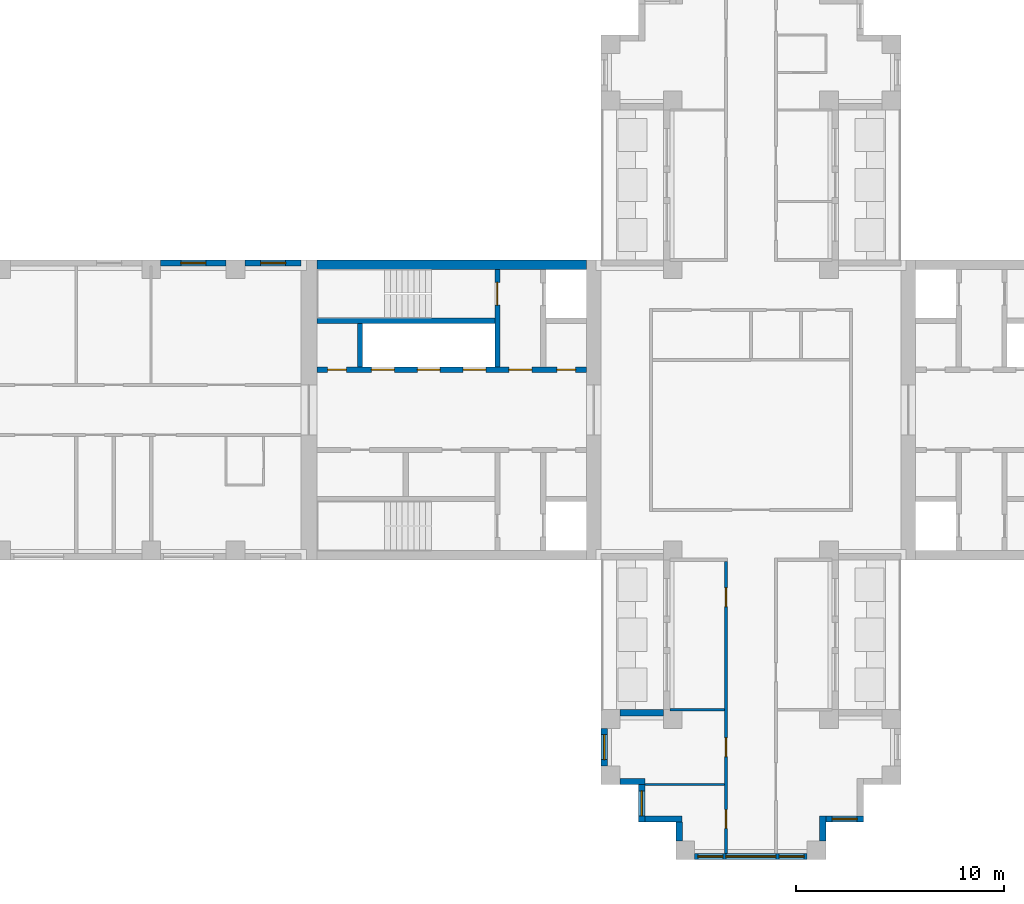
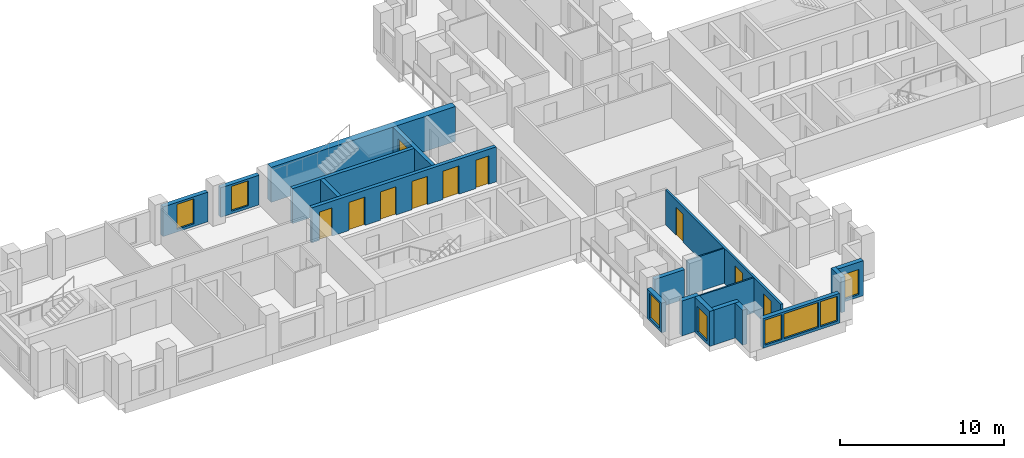
# One storey, part 4 of 11: 19 walls, 10 doors, 8 windows, 18 openings.
"""IFC4 building model written with IfcOpenShell, lengths in metres."""

from ifc_helpers import new_model, si_unit, direction, frame, frame_2d, origin, place, context, subcontext, project, spatial, rectangle, extrude, material, layer, layer_set, type_object, element, fill, save


model = new_model("IFC4")

# Units and contexts
model_context = context("Model", 3, precision=1e-05, world=origin(), true_north=direction((0.0, 1.0)))
body_context = subcontext(model_context, "Body", "Model", "MODEL_VIEW")
ifc_project = project(units=[si_unit("LENGTHUNIT", "METRE"), si_unit("AREAUNIT", "SQUARE_METRE"), si_unit("VOLUMEUNIT", "CUBIC_METRE"), si_unit("PLANEANGLEUNIT", "RADIAN"), si_unit("MASSUNIT", "GRAM", prefix="KILO")], contexts=[model_context])

# Site, building, storey
site_placement = place(None, origin())
site = spatial("IfcSite", under=ifc_project, at=site_placement, CompositionType="ELEMENT")
building_placement = place(site_placement, origin())
building = spatial("IfcBuilding", under=site, at=building_placement, Name="Fustian Cross Tower", CompositionType="ELEMENT")
storey_placement = place(building_placement, frame((0.0, 0.0, 144.300048828125)))
storey = spatial("IfcBuildingStorey", under=building, at=storey_placement, Name="L45", CompositionType="ELEMENT", Elevation=144.300048828125)

# Wall, openings, doors
ifc_material_1 = material(Name="Plasterboard on steel stud", Category="steel")
ifc_layer_1 = layer(ifc_material_1, 0.14990234375)
ifc_layer_set_1 = layer_set([ifc_layer_1], Name="Plasterboard on steel stud")
wall_type_1 = type_object("IfcWallType", Name="COMPARTMENT WALL 150 EI 60", PredefinedType="PARTITIONING", material=ifc_layer_set_1)
wall_1_placement = place(storey_placement, frame((-1.199951171875, -21.300048828125, 0.0), z_axis=(0.0, 0.0, 1.0), x_axis=(0.0, 1.0, 0.0)))
wall_1 = element("IfcWall", 1, at=wall_1_placement, inside=storey, type_object=wall_type_1, Name="Partition 20", PredefinedType="PARTITIONING", context=body_context, shape_type="SweptSolid", body=[
    extrude(rectangle(XDim=14.025146484375, YDim=0.14990234375, at=frame_2d((7.0126953125, 0.0))), origin(), (0.0, 0.0, 1.0), 2.599853515625),
])
opening_1_placement = place(wall_1_placement, frame((11.85009765625, 0.0, 0.0)))
opening_1 = element("IfcOpeningElement", 2, at=opening_1_placement, cuts=wall_1, Name="Opening D20030", PredefinedType="OPENING", context=body_context, shape_type="SweptSolid", body=[
    extrude(rectangle(XDim=0.89990234375, YDim=2.10009765625, at=frame_2d((0.449951171875, 1.050048828125))), frame((0.0, 0.0849609375, 0.0), z_axis=(0.0, -1.0, 0.0), x_axis=(1.0, 0.0, 0.0)), (0.0, 0.0, 1.0), 0.169921875),
])
opening_2_placement = place(wall_1_placement, frame((4.64990234375, 0.0, 0.0)))
opening_2 = element("IfcOpeningElement", 3, at=opening_2_placement, cuts=wall_1, Name="Opening D20031", PredefinedType="OPENING", context=body_context, shape_type="SweptSolid", body=[
    extrude(rectangle(XDim=0.89990234375, YDim=2.10009765625, at=frame_2d((0.449951171875, 1.050048828125))), frame((0.0, 0.0849609375, 0.0), z_axis=(0.0, -1.0, 0.0), x_axis=(1.0, 0.0, 0.0)), (0.0, 0.0, 1.0), 0.169921875),
])
opening_3_placement = place(wall_1_placement, frame((1.199951171875, 0.0, 0.0)))
opening_3 = element("IfcOpeningElement", 4, at=opening_3_placement, cuts=wall_1, Name="Opening D20032", PredefinedType="OPENING", context=body_context, shape_type="SweptSolid", body=[
    extrude(rectangle(XDim=0.89990234375, YDim=2.10009765625, at=frame_2d((0.449951171875, 1.050048828125))), frame((0.0, 0.0849609375, 0.0), z_axis=(0.0, -1.0, 0.0), x_axis=(1.0, 0.0, 0.0)), (0.0, 0.0, 1.0), 0.169921875),
])
ifc_material_2 = material(Name="Timber fire door set", Category="wood")
door_type_1 = type_object("IfcDoorType", Name="FIRE SWING DOOR 900 FD30S", OperationType="SINGLE_SWING_LEFT", PredefinedType="DOOR", material=ifc_material_2)
door_1_placement = place(opening_1_placement, origin())
door_1 = element("IfcDoor", 5, at=door_1_placement, inside=storey, type_object=door_type_1, Name="Door D20030", OperationType="SINGLE_SWING_RIGHT", OverallHeight=2.10009765625, OverallWidth=0.89990234375, PredefinedType="DOOR", context=body_context, shape_type="SweptSolid", body=[
    extrude(rectangle(XDim=0.89990234375, YDim=2.10009765625, at=frame_2d((0.449951171875, 1.050048828125))), frame((0.0, 0.02490234375, 0.0), z_axis=(0.0, -1.0, 0.0), x_axis=(1.0, 0.0, 0.0)), (0.0, 0.0, 1.0), 0.050048828125),
])
fill(opening_1, door_1)
door_2_placement = place(opening_2_placement, origin())
door_2 = element("IfcDoor", 6, at=door_2_placement, inside=storey, type_object=door_type_1, Name="Door D20031", OperationType="SINGLE_SWING_LEFT", OverallHeight=2.10009765625, OverallWidth=0.89990234375, PredefinedType="DOOR", context=body_context, shape_type="SweptSolid", body=[
    extrude(rectangle(XDim=0.89990234375, YDim=2.10009765625, at=frame_2d((0.449951171875, 1.050048828125))), frame((0.0, 0.02490234375, 0.0), z_axis=(0.0, -1.0, 0.0), x_axis=(1.0, 0.0, 0.0)), (0.0, 0.0, 1.0), 0.050048828125),
])
fill(opening_2, door_2)
door_3_placement = place(opening_3_placement, origin())
door_3 = element("IfcDoor", 7, at=door_3_placement, inside=storey, type_object=door_type_1, Name="Door D20032", OperationType="SINGLE_SWING_LEFT", OverallHeight=2.10009765625, OverallWidth=0.89990234375, PredefinedType="DOOR", context=body_context, shape_type="SweptSolid", body=[
    extrude(rectangle(XDim=0.89990234375, YDim=2.10009765625, at=frame_2d((0.449951171875, 1.050048828125))), frame((0.0, 0.02490234375, 0.0), z_axis=(0.0, -1.0, 0.0), x_axis=(1.0, 0.0, 0.0)), (0.0, 0.0, 1.0), 0.050048828125),
])
fill(opening_3, door_3)

# Wall
ifc_material_3 = material(Name="Concrete C60/75", Category="concrete")
ifc_layer_2 = layer(ifc_material_3, 0.449951171875)
ifc_layer_set_2 = layer_set([ifc_layer_2], Name="Concrete C60/75")
wall_type_2 = type_object("IfcWallType", Name="CORE FACADE WALL 450 C60/75", PredefinedType="SHEAR", material=ifc_layer_set_2)
wall_2_placement = place(storey_placement, frame((-7.89990234375, 6.97509765625, 0.0), z_axis=(0.0, 0.0, 1.0), x_axis=(-1.0, 0.0, 0.0)))
element("IfcWall", 8, at=wall_2_placement, inside=storey, type_object=wall_type_2, Name="Core facade wall", PredefinedType="SHEAR", context=body_context, shape_type="SweptSolid", body=[
    extrude(rectangle(XDim=12.9501953125, YDim=0.449951171875, at=frame_2d((6.47509765625, 0.0))), origin(), (0.0, 0.0, 1.0), 2.599853515625),
])

# Wall, openings, doors
ifc_material_4 = material(Name="Concrete C50/60", Category="concrete")
ifc_layer_3 = layer(ifc_material_4, 0.25)
ifc_layer_set_3 = layer_set([ifc_layer_3], Name="Concrete C50/60")
wall_type_3 = type_object("IfcWallType", Name="CORE LOBBY WALL 250 C50/60", PredefinedType="SHEAR", material=ifc_layer_set_3)
wall_3_placement = place(storey_placement, frame((-7.89990234375, 1.925048828125, 0.0), z_axis=(0.0, 0.0, 1.0), x_axis=(-1.0, 0.0, 0.0)))
wall_3 = element("IfcWall", 9, at=wall_3_placement, inside=storey, type_object=wall_type_3, Name="Core lobby wall", PredefinedType="SHEAR", context=body_context, shape_type="SweptSolid", body=[
    extrude(rectangle(XDim=12.9501953125, YDim=0.25, at=frame_2d((6.47509765625, 0.0))), origin(), (0.0, 0.0, 1.0), 2.599853515625),
])
opening_4_placement = place(wall_3_placement, frame((4.824951171875, 0.0, 0.0)))
opening_4 = element("IfcOpeningElement", 10, at=opening_4_placement, cuts=wall_3, Name="Opening LD", PredefinedType="OPENING", context=body_context, shape_type="SweptSolid", body=[
    extrude(rectangle(XDim=1.10009765625, YDim=2.10009765625, at=frame_2d((0.550048828125, 1.050048828125))), frame((0.0, 0.135009765625, 0.0), z_axis=(0.0, -1.0, 0.0), x_axis=(1.0, 0.0, 0.0)), (0.0, 0.0, 1.0), 0.27001953125),
])
opening_5_placement = place(wall_3_placement, frame((7.02490234375, 0.0, 0.0)))
opening_5 = element("IfcOpeningElement", 11, at=opening_5_placement, cuts=wall_3, Name="Opening LD", PredefinedType="OPENING", context=body_context, shape_type="SweptSolid", body=[
    extrude(rectangle(XDim=1.10009765625, YDim=2.10009765625, at=frame_2d((0.550048828125, 1.050048828125))), frame((0.0, 0.135009765625, 0.0), z_axis=(0.0, -1.0, 0.0), x_axis=(1.0, 0.0, 0.0)), (0.0, 0.0, 1.0), 0.27001953125),
])
opening_6_placement = place(wall_3_placement, frame((9.22509765625, 0.0, 0.0)))
opening_6 = element("IfcOpeningElement", 12, at=opening_6_placement, cuts=wall_3, Name="Opening LD", PredefinedType="OPENING", context=body_context, shape_type="SweptSolid", body=[
    extrude(rectangle(XDim=1.10009765625, YDim=2.10009765625, at=frame_2d((0.550048828125, 1.050048828125))), frame((0.0, 0.135009765625, 0.0), z_axis=(0.0, -1.0, 0.0), x_axis=(1.0, 0.0, 0.0)), (0.0, 0.0, 1.0), 0.27001953125),
])
opening_7_placement = place(wall_3_placement, frame((0.52490234375, 0.0, 0.0)))
opening_7 = element("IfcOpeningElement", 13, at=opening_7_placement, cuts=wall_3, Name="Opening CD-18-24", PredefinedType="OPENING", context=body_context, shape_type="SweptSolid", body=[
    extrude(rectangle(XDim=0.89990234375, YDim=2.10009765625, at=frame_2d((0.449951171875, 1.050048828125))), frame((0.0, 0.135009765625, 0.0), z_axis=(0.0, -1.0, 0.0), x_axis=(1.0, 0.0, 0.0)), (0.0, 0.0, 1.0), 0.27001953125),
])
opening_8_placement = place(wall_3_placement, frame((2.625, 0.0, 0.0)))
opening_8 = element("IfcOpeningElement", 14, at=opening_8_placement, cuts=wall_3, Name="Opening CD-18-26", PredefinedType="OPENING", context=body_context, shape_type="SweptSolid", body=[
    extrude(rectangle(XDim=1.10009765625, YDim=2.10009765625, at=frame_2d((0.550048828125, 1.050048828125))), frame((0.0, 0.135009765625, 0.0), z_axis=(0.0, -1.0, 0.0), x_axis=(1.0, 0.0, 0.0)), (0.0, 0.0, 1.0), 0.27001953125),
])
opening_9_placement = place(wall_3_placement, frame((11.52490234375, 0.0, 0.0)))
opening_9 = element("IfcOpeningElement", 15, at=opening_9_placement, cuts=wall_3, Name="Opening CD-18-30", PredefinedType="OPENING", context=body_context, shape_type="SweptSolid", body=[
    extrude(rectangle(XDim=0.89990234375, YDim=2.10009765625, at=frame_2d((0.449951171875, 1.050048828125))), frame((0.0, 0.135009765625, 0.0), z_axis=(0.0, -1.0, 0.0), x_axis=(1.0, 0.0, 0.0)), (0.0, 0.0, 1.0), 0.27001953125),
])
ifc_material_5 = material(Name="Steel", Category="steel")
door_type_2 = type_object("IfcDoorType", Name="FIRE DOOR FD30S 900X2100", OperationType="SINGLE_SWING_LEFT", PredefinedType="DOOR", material=ifc_material_5)
door_4_placement = place(opening_9_placement, frame((0.89990234375, 0.0, 0.0), z_axis=(0.0, 0.0, 1.0), x_axis=(-1.0, 0.0, 0.0)))
door_4 = element("IfcDoor", 16, at=door_4_placement, inside=storey, type_object=door_type_2, Name="Core door CD-18-30", OperationType="SINGLE_SWING_RIGHT", OverallHeight=2.10009765625, OverallWidth=0.89990234375, PredefinedType="DOOR", context=body_context, shape_type="SweptSolid", body=[
    extrude(rectangle(XDim=0.89990234375, YDim=2.10009765625, at=frame_2d((0.449951171875, 1.050048828125))), frame((0.0, 0.02490234375, 0.0), z_axis=(0.0, -1.0, 0.0), x_axis=(1.0, 0.0, 0.0)), (0.0, 0.0, 1.0), 0.050048828125),
])
fill(opening_9, door_4)
ifc_material_6 = material(Name="Steel", Category="steel")
door_type_3 = type_object("IfcDoorType", Name="FIRE DOOR FD60S 1100X2100", OperationType="SINGLE_SWING_LEFT", PredefinedType="DOOR", material=ifc_material_6)
door_5_placement = place(opening_8_placement, frame((1.10009765625, 0.0, 0.0), z_axis=(0.0, 0.0, 1.0), x_axis=(-1.0, 0.0, 0.0)))
door_5 = element("IfcDoor", 17, at=door_5_placement, inside=storey, type_object=door_type_3, Name="Core door CD-18-26", OperationType="SINGLE_SWING_RIGHT", OverallHeight=2.10009765625, OverallWidth=1.10009765625, PredefinedType="DOOR", context=body_context, shape_type="SweptSolid", body=[
    extrude(rectangle(XDim=1.10009765625, YDim=2.10009765625, at=frame_2d((0.550048828125, 1.050048828125))), frame((0.0, 0.02490234375, 0.0), z_axis=(0.0, -1.0, 0.0), x_axis=(1.0, 0.0, 0.0)), (0.0, 0.0, 1.0), 0.050048828125),
])
fill(opening_8, door_5)
ifc_material_7 = material(Name="Steel", Category="steel")
door_type_4 = type_object("IfcDoorType", Name="FIRE DOOR FD60S 900X2100", OperationType="SINGLE_SWING_LEFT", PredefinedType="DOOR", material=ifc_material_7)
door_6_placement = place(opening_7_placement, frame((0.89990234375, 0.0, 0.0), z_axis=(0.0, 0.0, 1.0), x_axis=(-1.0, 0.0, 0.0)))
door_6 = element("IfcDoor", 18, at=door_6_placement, inside=storey, type_object=door_type_4, Name="Core door CD-18-24", OperationType="SINGLE_SWING_RIGHT", OverallHeight=2.10009765625, OverallWidth=0.89990234375, PredefinedType="DOOR", context=body_context, shape_type="SweptSolid", body=[
    extrude(rectangle(XDim=0.89990234375, YDim=2.10009765625, at=frame_2d((0.449951171875, 1.050048828125))), frame((0.0, 0.02490234375, 0.0), z_axis=(0.0, -1.0, 0.0), x_axis=(1.0, 0.0, 0.0)), (0.0, 0.0, 1.0), 0.050048828125),
])
fill(opening_7, door_6)
ifc_material_8 = material(Name="Stainless steel", Category="steel")
door_type_5 = type_object("IfcDoorType", Name="LIFT LANDING DOOR 1100X2100", OperationType="SLIDING_TO_LEFT", PredefinedType="DOOR", material=ifc_material_8)
door_7_placement = place(opening_4_placement, origin())
door_7 = element("IfcDoor", 19, at=door_7_placement, inside=storey, type_object=door_type_5, Name="Landing door HR1W", OperationType="SLIDING_TO_LEFT", OverallHeight=2.10009765625, OverallWidth=1.10009765625, PredefinedType="DOOR", context=body_context, shape_type="SweptSolid", body=[
    extrude(rectangle(XDim=1.10009765625, YDim=2.10009765625, at=frame_2d((0.550048828125, 1.050048828125))), frame((0.0, 0.02490234375, 0.0), z_axis=(0.0, -1.0, 0.0), x_axis=(1.0, 0.0, 0.0)), (0.0, 0.0, 1.0), 0.050048828125),
])
fill(opening_4, door_7)
door_8_placement = place(opening_5_placement, origin())
door_8 = element("IfcDoor", 20, at=door_8_placement, inside=storey, type_object=door_type_5, Name="Landing door HR2W", OperationType="SLIDING_TO_LEFT", OverallHeight=2.10009765625, OverallWidth=1.10009765625, PredefinedType="DOOR", context=body_context, shape_type="SweptSolid", body=[
    extrude(rectangle(XDim=1.10009765625, YDim=2.10009765625, at=frame_2d((0.550048828125, 1.050048828125))), frame((0.0, 0.02490234375, 0.0), z_axis=(0.0, -1.0, 0.0), x_axis=(1.0, 0.0, 0.0)), (0.0, 0.0, 1.0), 0.050048828125),
])
fill(opening_5, door_8)
door_9_placement = place(opening_6_placement, origin())
door_9 = element("IfcDoor", 21, at=door_9_placement, inside=storey, type_object=door_type_5, Name="Landing door HR3W", OperationType="SLIDING_TO_LEFT", OverallHeight=2.10009765625, OverallWidth=1.10009765625, PredefinedType="DOOR", context=body_context, shape_type="SweptSolid", body=[
    extrude(rectangle(XDim=1.10009765625, YDim=2.10009765625, at=frame_2d((0.550048828125, 1.050048828125))), frame((0.0, 0.02490234375, 0.0), z_axis=(0.0, -1.0, 0.0), x_axis=(1.0, 0.0, 0.0)), (0.0, 0.0, 1.0), 0.050048828125),
])
fill(opening_6, door_9)

# Wall
ifc_material_9 = material(Name="Concrete C50/60", Category="concrete")
ifc_layer_4 = layer(ifc_material_9, 0.25)
ifc_layer_set_4 = layer_set([ifc_layer_4], Name="Concrete C50/60")
wall_type_4 = type_object("IfcWallType", Name="CORE SHAFT WALL 250 C50/60", PredefinedType="SHEAR", material=ifc_layer_set_4)
wall_4_placement = place(storey_placement, frame((-12.300048828125, 4.27490234375, 0.0), z_axis=(0.0, 0.0, 1.0), x_axis=(-1.0, 0.0, 0.0)))
element("IfcWall", 22, at=wall_4_placement, inside=storey, type_object=wall_type_4, Name="Core shaft wall", PredefinedType="SHEAR", context=body_context, shape_type="SweptSolid", body=[
    extrude(rectangle(XDim=8.550048828125, YDim=0.25, at=frame_2d((4.27490234375, 0.0))), origin(), (0.0, 0.0, 1.0), 2.599853515625),
])

# Wall, opening, door
wall_5_placement = place(storey_placement, frame((-12.175048828125, 2.050048828125, 0.0), z_axis=(0.0, 0.0, 1.0), x_axis=(0.0, 1.0, 0.0)))
wall_5 = element("IfcWall", 23, at=wall_5_placement, inside=storey, type_object=wall_type_4, Name="Core shaft wall", PredefinedType="SHEAR", context=body_context, shape_type="SweptSolid", body=[
    extrude(rectangle(XDim=4.699951171875, YDim=0.25, at=frame_2d((2.35009765625, 0.0))), origin(), (0.0, 0.0, 1.0), 2.599853515625),
])
opening_10_placement = place(wall_5_placement, frame((2.97509765625, 0.0, 0.0)))
opening_10 = element("IfcOpeningElement", 24, at=opening_10_placement, cuts=wall_5, Name="Opening CD-18-22", PredefinedType="OPENING", context=body_context, shape_type="SweptSolid", body=[
    extrude(rectangle(XDim=1.10009765625, YDim=2.10009765625, at=frame_2d((0.550048828125, 1.050048828125))), frame((0.0, 0.135009765625, 0.0), z_axis=(0.0, -1.0, 0.0), x_axis=(1.0, 0.0, 0.0)), (0.0, 0.0, 1.0), 0.27001953125),
])
door_10_placement = place(opening_10_placement, origin())
door_10 = element("IfcDoor", 25, at=door_10_placement, inside=storey, type_object=door_type_3, Name="Core door CD-18-22", OperationType="SINGLE_SWING_LEFT", OverallHeight=2.10009765625, OverallWidth=1.10009765625, PredefinedType="DOOR", context=body_context, shape_type="SweptSolid", body=[
    extrude(rectangle(XDim=1.10009765625, YDim=2.10009765625, at=frame_2d((0.550048828125, 1.050048828125))), frame((0.0, 0.02490234375, 0.0), z_axis=(0.0, -1.0, 0.0), x_axis=(1.0, 0.0, 0.0)), (0.0, 0.0, 1.0), 0.050048828125),
])
fill(opening_10, door_10)

# Walls
ifc_material_10 = material(Name="Plasterboard on steel stud", Category="steel")
ifc_layer_5 = layer(ifc_material_10, 0.10009765625)
ifc_layer_set_5 = layer_set([ifc_layer_5], Name="Plasterboard on steel stud")
wall_type_5 = type_object("IfcWallType", Name="PARTITION 100 STUD", PredefinedType="PARTITIONING", material=ifc_layer_set_5)
wall_6_placement = place(storey_placement, frame((-5.10009765625, -18.0, 0.0), z_axis=(0.0, 0.0, 1.0), x_axis=(1.0, 0.0, 0.0)))
element("IfcWall", 26, at=wall_6_placement, inside=storey, type_object=wall_type_5, Name="Partition 11", PredefinedType="PARTITIONING", context=body_context, shape_type="SweptSolid", body=[
    extrude(rectangle(XDim=3.8251953125, YDim=0.10009765625, at=frame_2d((1.91259765625, 0.0))), origin(), (0.0, 0.0, 1.0), 2.599853515625),
])
wall_7_placement = place(storey_placement, frame((-3.89990234375, -14.39990234375, 0.0), z_axis=(0.0, 0.0, 1.0), x_axis=(1.0, 0.0, 0.0)))
element("IfcWall", 27, at=wall_7_placement, inside=storey, type_object=wall_type_5, Name="Partition 16", PredefinedType="PARTITIONING", context=body_context, shape_type="SweptSolid", body=[
    extrude(rectangle(XDim=2.625, YDim=0.10009765625, at=frame_2d((1.3125, 0.0))), origin(), (0.0, 0.0, 1.0), 2.599853515625),
])
ifc_material_11 = material(Name="Concrete C40/50", Category="concrete")
ifc_layer_6 = layer(ifc_material_11, 0.25)
ifc_layer_set_6 = layer_set([ifc_layer_6], Name="Concrete C40/50")
wall_type_6 = type_object("IfcWallType", Name="SHAFT PARTITION WALL 250 C40/50", PredefinedType="PARTITIONING", material=ifc_layer_set_6)
wall_8_placement = place(storey_placement, frame((-18.77490234375, 2.050048828125, 0.0), z_axis=(0.0, 0.0, 1.0), x_axis=(0.0, 1.0, 0.0)))
element("IfcWall", 28, at=wall_8_placement, inside=storey, type_object=wall_type_6, Name="Core shaft wall", PredefinedType="PARTITIONING", context=body_context, shape_type="SweptSolid", body=[
    extrude(rectangle(XDim=2.099853515625, YDim=0.25, at=frame_2d((1.0498046875, 0.0))), origin(), (0.0, 0.0, 1.0), 2.599853515625),
])

# Wall, opening, window
ifc_material_12 = material(Name="Dark aluminium cladding on insulated backing wall", Category="aluminium")
ifc_layer_7 = layer(ifc_material_12, 0.300048828125)
ifc_layer_set_7 = layer_set([ifc_layer_7], Name="Dark aluminium cladding on insulated backing wall")
wall_type_7 = type_object("IfcWallType", Name="XW1 EXTERNAL WALL 300", PredefinedType="SOLIDWALL", material=ifc_layer_set_7)
wall_9_placement = place(storey_placement, frame((-21.60009765625, 7.050048828125, 0.0), z_axis=(0.0, 0.0, 1.0), x_axis=(-1.0, 0.0, 0.0)))
wall_9 = element("IfcWall", 29, at=wall_9_placement, inside=storey, type_object=wall_type_7, Name="External wall", PredefinedType="SOLIDWALL", context=body_context, shape_type="SweptSolid", body=[
    extrude(rectangle(XDim=2.699951171875, YDim=0.300048828125, at=frame_2d((1.35009765625, 0.0))), origin(), (0.0, 0.0, 1.0), 2.199951171875),
])
opening_11_placement = place(wall_9_placement, frame((0.75, 0.0, 0.199951171875)))
opening_11 = element("IfcOpeningElement", 30, at=opening_11_placement, cuts=wall_9, Name="Opening WN3", PredefinedType="OPENING", context=body_context, shape_type="SweptSolid", body=[
    extrude(rectangle(XDim=1.199951171875, YDim=1.85009765625, at=frame_2d((0.60009765625, 0.925048828125))), frame((0.0, 0.159912109375, 0.0), z_axis=(0.0, -1.0, 0.0), x_axis=(1.0, 0.0, 0.0)), (0.0, 0.0, 1.0), 0.320068359375),
])
ifc_material_13 = material(Name="Dark anodised aluminium and double glazing", Category="aluminium")
window_type_1 = type_object("IfcWindowType", Name="WN3 WINDOW 1200X1850", PartitioningType="SINGLE_PANEL", PredefinedType="WINDOW", material=ifc_material_13)
window_1_placement = place(opening_11_placement, origin())
window_1 = element("IfcWindow", 31, at=window_1_placement, inside=storey, type_object=window_type_1, Name="Window", OverallHeight=1.85009765625, OverallWidth=1.199951171875, PartitioningType="SINGLE_PANEL", PredefinedType="WINDOW", context=body_context, shape_type="SweptSolid", body=[
    extrude(rectangle(XDim=1.199951171875, YDim=1.85009765625, at=frame_2d((0.60009765625, 0.925048828125))), frame((0.0, 0.030029296875, 0.0), z_axis=(0.0, -1.0, 0.0), x_axis=(1.0, 0.0, 0.0)), (0.0, 0.0, 1.0), 0.06005859375),
])
fill(opening_11, window_1)

wall_10_placement = place(storey_placement, frame((-25.199951171875, 7.050048828125, 0.0), z_axis=(0.0, 0.0, 1.0), x_axis=(-1.0, 0.0, 0.0)))
wall_10 = element("IfcWall", 32, at=wall_10_placement, inside=storey, type_object=wall_type_7, Name="External wall", PredefinedType="SOLIDWALL", context=body_context, shape_type="SweptSolid", body=[
    extrude(rectangle(XDim=3.150146484375, YDim=0.300048828125, at=frame_2d((1.5751953125, 0.0))), origin(), (0.0, 0.0, 1.0), 2.199951171875),
])
opening_12_placement = place(wall_10_placement, frame((0.97509765625, 0.0, 0.199951171875)))
opening_12 = element("IfcOpeningElement", 33, at=opening_12_placement, cuts=wall_10, Name="Opening WN3", PredefinedType="OPENING", context=body_context, shape_type="SweptSolid", body=[
    extrude(rectangle(XDim=1.199951171875, YDim=1.85009765625, at=frame_2d((0.60009765625, 0.925048828125))), frame((0.0, 0.159912109375, 0.0), z_axis=(0.0, -1.0, 0.0), x_axis=(1.0, 0.0, 0.0)), (0.0, 0.0, 1.0), 0.320068359375),
])
window_2_placement = place(opening_12_placement, origin())
window_2 = element("IfcWindow", 34, at=window_2_placement, inside=storey, type_object=window_type_1, Name="Window", OverallHeight=1.85009765625, OverallWidth=1.199951171875, PartitioningType="SINGLE_PANEL", PredefinedType="WINDOW", context=body_context, shape_type="SweptSolid", body=[
    extrude(rectangle(XDim=1.199951171875, YDim=1.85009765625, at=frame_2d((0.60009765625, 0.925048828125))), frame((0.0, 0.030029296875, 0.0), z_axis=(0.0, -1.0, 0.0), x_axis=(1.0, 0.0, 0.0)), (0.0, 0.0, 1.0), 0.06005859375),
])
fill(opening_12, window_2)

# Wall
wall_11_placement = place(storey_placement, frame((-4.199951171875, -14.550048828125, 0.0), z_axis=(0.0, 0.0, 1.0), x_axis=(-1.0, 0.0, 0.0)))
element("IfcWall", 35, at=wall_11_placement, inside=storey, type_object=wall_type_7, Name="External wall", PredefinedType="SOLIDWALL", context=body_context, shape_type="SweptSolid", body=[
    extrude(rectangle(XDim=2.10009765625, YDim=0.300048828125, at=frame_2d((1.050048828125, 0.0))), origin(), (0.0, 0.0, 1.0), 2.199951171875),
])

# Wall, opening, window
wall_12_placement = place(storey_placement, frame((-7.050048828125, -15.300048828125, 0.0), z_axis=(0.0, 0.0, 1.0), x_axis=(0.0, -1.0, 0.0)))
wall_12 = element("IfcWall", 36, at=wall_12_placement, inside=storey, type_object=wall_type_7, Name="External wall", PredefinedType="SOLIDWALL", context=body_context, shape_type="SweptSolid", body=[
    extrude(rectangle(XDim=1.800048828125, YDim=0.300048828125, at=frame_2d((0.89990234375, 0.0))), origin(), (0.0, 0.0, 1.0), 2.199951171875),
])
opening_13_placement = place(wall_12_placement, frame((0.300048828125, 0.0, 0.199951171875)))
opening_13 = element("IfcOpeningElement", 37, at=opening_13_placement, cuts=wall_12, Name="Opening WN3", PredefinedType="OPENING", context=body_context, shape_type="SweptSolid", body=[
    extrude(rectangle(XDim=1.199951171875, YDim=1.85009765625, at=frame_2d((0.60009765625, 0.925048828125))), frame((0.0, 0.159912109375, 0.0), z_axis=(0.0, -1.0, 0.0), x_axis=(1.0, 0.0, 0.0)), (0.0, 0.0, 1.0), 0.320068359375),
])
window_3_placement = place(opening_13_placement, origin())
window_3 = element("IfcWindow", 38, at=window_3_placement, inside=storey, type_object=window_type_1, Name="Window", OverallHeight=1.85009765625, OverallWidth=1.199951171875, PartitioningType="SINGLE_PANEL", PredefinedType="WINDOW", context=body_context, shape_type="SweptSolid", body=[
    extrude(rectangle(XDim=1.199951171875, YDim=1.85009765625, at=frame_2d((0.60009765625, 0.925048828125))), frame((0.0, 0.030029296875, 0.0), z_axis=(0.0, -1.0, 0.0), x_axis=(1.0, 0.0, 0.0)), (0.0, 0.0, 1.0), 0.06005859375),
])
fill(opening_13, window_3)

# Wall
wall_13_placement = place(storey_placement, frame((-6.300048828125, -17.85009765625, 0.0), z_axis=(0.0, 0.0, 1.0), x_axis=(1.0, 0.0, 0.0)))
element("IfcWall", 39, at=wall_13_placement, inside=storey, type_object=wall_type_7, Name="External wall", PredefinedType="SOLIDWALL", context=body_context, shape_type="SweptSolid", body=[
    extrude(rectangle(XDim=1.199951171875, YDim=0.300048828125, at=frame_2d((0.60009765625, 0.0))), origin(), (0.0, 0.0, 1.0), 2.599853515625),
])

# Wall, opening, window
wall_14_placement = place(storey_placement, frame((-5.25, -18.0, 0.0), z_axis=(0.0, 0.0, 1.0), x_axis=(0.0, -1.0, 0.0)))
wall_14 = element("IfcWall", 40, at=wall_14_placement, inside=storey, type_object=wall_type_7, Name="External wall", PredefinedType="SOLIDWALL", context=body_context, shape_type="SweptSolid", body=[
    extrude(rectangle(XDim=1.800048828125, YDim=0.300048828125, at=frame_2d((0.89990234375, 0.0))), origin(), (0.0, 0.0, 1.0), 2.599853515625),
])
opening_14_placement = place(wall_14_placement, frame((0.300048828125, 0.0, 0.199951171875)))
opening_14 = element("IfcOpeningElement", 41, at=opening_14_placement, cuts=wall_14, Name="Opening WN3", PredefinedType="OPENING", context=body_context, shape_type="SweptSolid", body=[
    extrude(rectangle(XDim=1.199951171875, YDim=1.85009765625, at=frame_2d((0.60009765625, 0.925048828125))), frame((0.0, 0.159912109375, 0.0), z_axis=(0.0, -1.0, 0.0), x_axis=(1.0, 0.0, 0.0)), (0.0, 0.0, 1.0), 0.320068359375),
])
window_4_placement = place(opening_14_placement, origin())
window_4 = element("IfcWindow", 42, at=window_4_placement, inside=storey, type_object=window_type_1, Name="Window", OverallHeight=1.85009765625, OverallWidth=1.199951171875, PartitioningType="SINGLE_PANEL", PredefinedType="WINDOW", context=body_context, shape_type="SweptSolid", body=[
    extrude(rectangle(XDim=1.199951171875, YDim=1.85009765625, at=frame_2d((0.60009765625, 0.925048828125))), frame((0.0, 0.030029296875, 0.0), z_axis=(0.0, -1.0, 0.0), x_axis=(1.0, 0.0, 0.0)), (0.0, 0.0, 1.0), 0.06005859375),
])
fill(opening_14, window_4)

# Walls
wall_15_placement = place(storey_placement, frame((-5.10009765625, -19.64990234375, 0.0), z_axis=(0.0, 0.0, 1.0), x_axis=(1.0, 0.0, 0.0)))
element("IfcWall", 43, at=wall_15_placement, inside=storey, type_object=wall_type_7, Name="External wall", PredefinedType="SOLIDWALL", context=body_context, shape_type="SweptSolid", body=[
    extrude(rectangle(XDim=1.800048828125, YDim=0.300048828125, at=frame_2d((0.89990234375, 0.0))), origin(), (0.0, 0.0, 1.0), 2.599853515625),
])
wall_16_placement = place(storey_placement, frame((-3.449951171875, -19.800048828125, 0.0), z_axis=(0.0, 0.0, 1.0), x_axis=(0.0, -1.0, 0.0)))
element("IfcWall", 44, at=wall_16_placement, inside=storey, type_object=wall_type_7, Name="External wall", PredefinedType="SOLIDWALL", context=body_context, shape_type="SweptSolid", body=[
    extrude(rectangle(XDim=0.89990234375, YDim=0.300048828125, at=frame_2d((0.449951171875, 0.0))), origin(), (0.0, 0.0, 1.0), 2.599853515625),
])

# Wall, openings, windows
wall_17_placement = place(storey_placement, frame((-2.699951171875, -21.449951171875, 0.0), z_axis=(0.0, 0.0, 1.0), x_axis=(1.0, 0.0, 0.0)))
wall_17 = element("IfcWall", 45, at=wall_17_placement, inside=storey, type_object=wall_type_7, Name="External wall", PredefinedType="SOLIDWALL", context=body_context, shape_type="SweptSolid", body=[
    extrude(rectangle(XDim=5.39990234375, YDim=0.300048828125, at=frame_2d((2.699951171875, 0.0))), origin(), (0.0, 0.0, 1.0), 2.199951171875),
])
opening_15_placement = place(wall_17_placement, frame((1.5, 0.0, 0.199951171875)))
opening_15 = element("IfcOpeningElement", 46, at=opening_15_placement, cuts=wall_17, Name="Opening WN1", PredefinedType="OPENING", context=body_context, shape_type="SweptSolid", body=[
    extrude(rectangle(XDim=2.39990234375, YDim=1.85009765625, at=frame_2d((1.199951171875, 0.925048828125))), frame((0.0, 0.159912109375, 0.0), z_axis=(0.0, -1.0, 0.0), x_axis=(1.0, 0.0, 0.0)), (0.0, 0.0, 1.0), 0.320068359375),
])
opening_16_placement = place(wall_17_placement, frame((0.14990234375, 0.0, 0.199951171875)))
opening_16 = element("IfcOpeningElement", 47, at=opening_16_placement, cuts=wall_17, Name="Opening WN3", PredefinedType="OPENING", context=body_context, shape_type="SweptSolid", body=[
    extrude(rectangle(XDim=1.199951171875, YDim=1.85009765625, at=frame_2d((0.60009765625, 0.925048828125))), frame((0.0, 0.159912109375, 0.0), z_axis=(0.0, -1.0, 0.0), x_axis=(1.0, 0.0, 0.0)), (0.0, 0.0, 1.0), 0.320068359375),
])
opening_17_placement = place(wall_17_placement, frame((4.050048828125, 0.0, 0.199951171875)))
opening_17 = element("IfcOpeningElement", 48, at=opening_17_placement, cuts=wall_17, Name="Opening WN3", PredefinedType="OPENING", context=body_context, shape_type="SweptSolid", body=[
    extrude(rectangle(XDim=1.199951171875, YDim=1.85009765625, at=frame_2d((0.60009765625, 0.925048828125))), frame((0.0, 0.159912109375, 0.0), z_axis=(0.0, -1.0, 0.0), x_axis=(1.0, 0.0, 0.0)), (0.0, 0.0, 1.0), 0.320068359375),
])
ifc_material_14 = material(Name="Dark anodised aluminium and double glazing", Category="aluminium")
window_type_2 = type_object("IfcWindowType", Name="WN1 WINDOW 2400X1850", PartitioningType="SINGLE_PANEL", PredefinedType="WINDOW", material=ifc_material_14)
window_5_placement = place(opening_15_placement, origin())
window_5 = element("IfcWindow", 49, at=window_5_placement, inside=storey, type_object=window_type_2, Name="Window", OverallHeight=1.85009765625, OverallWidth=2.39990234375, PartitioningType="SINGLE_PANEL", PredefinedType="WINDOW", context=body_context, shape_type="SweptSolid", body=[
    extrude(rectangle(XDim=2.39990234375, YDim=1.85009765625, at=frame_2d((1.199951171875, 0.925048828125))), frame((0.0, 0.030029296875, 0.0), z_axis=(0.0, -1.0, 0.0), x_axis=(1.0, 0.0, 0.0)), (0.0, 0.0, 1.0), 0.06005859375),
])
fill(opening_15, window_5)
window_6_placement = place(opening_16_placement, origin())
window_6 = element("IfcWindow", 50, at=window_6_placement, inside=storey, type_object=window_type_1, Name="Window", OverallHeight=1.85009765625, OverallWidth=1.199951171875, PartitioningType="SINGLE_PANEL", PredefinedType="WINDOW", context=body_context, shape_type="SweptSolid", body=[
    extrude(rectangle(XDim=1.199951171875, YDim=1.85009765625, at=frame_2d((0.60009765625, 0.925048828125))), frame((0.0, 0.030029296875, 0.0), z_axis=(0.0, -1.0, 0.0), x_axis=(1.0, 0.0, 0.0)), (0.0, 0.0, 1.0), 0.06005859375),
])
fill(opening_16, window_6)
window_7_placement = place(opening_17_placement, origin())
window_7 = element("IfcWindow", 51, at=window_7_placement, inside=storey, type_object=window_type_1, Name="Window", OverallHeight=1.85009765625, OverallWidth=1.199951171875, PartitioningType="SINGLE_PANEL", PredefinedType="WINDOW", context=body_context, shape_type="SweptSolid", body=[
    extrude(rectangle(XDim=1.199951171875, YDim=1.85009765625, at=frame_2d((0.60009765625, 0.925048828125))), frame((0.0, 0.030029296875, 0.0), z_axis=(0.0, -1.0, 0.0), x_axis=(1.0, 0.0, 0.0)), (0.0, 0.0, 1.0), 0.06005859375),
])
fill(opening_17, window_7)

# Wall
wall_18_placement = place(storey_placement, frame((3.449951171875, -20.699951171875, 0.0), z_axis=(0.0, 0.0, 1.0), x_axis=(0.0, 1.0, 0.0)))
element("IfcWall", 52, at=wall_18_placement, inside=storey, type_object=wall_type_7, Name="External wall", PredefinedType="SOLIDWALL", context=body_context, shape_type="SweptSolid", body=[
    extrude(rectangle(XDim=1.199951171875, YDim=0.300048828125, at=frame_2d((0.60009765625, 0.0))), origin(), (0.0, 0.0, 1.0), 2.599853515625),
])

# Wall, opening, window
wall_19_placement = place(storey_placement, frame((3.60009765625, -19.64990234375, 0.0), z_axis=(0.0, 0.0, 1.0), x_axis=(1.0, 0.0, 0.0)))
wall_19 = element("IfcWall", 53, at=wall_19_placement, inside=storey, type_object=wall_type_7, Name="External wall", PredefinedType="SOLIDWALL", context=body_context, shape_type="SweptSolid", body=[
    extrude(rectangle(XDim=1.7998046875, YDim=0.300048828125, at=frame_2d((0.89990234375, 0.0))), origin(), (0.0, 0.0, 1.0), 2.599853515625),
])
opening_18_placement = place(wall_19_placement, frame((0.300048828125, 0.0, 0.199951171875)))
opening_18 = element("IfcOpeningElement", 54, at=opening_18_placement, cuts=wall_19, Name="Opening WN3", PredefinedType="OPENING", context=body_context, shape_type="SweptSolid", body=[
    extrude(rectangle(XDim=1.199951171875, YDim=1.85009765625, at=frame_2d((0.60009765625, 0.925048828125))), frame((0.0, 0.159912109375, 0.0), z_axis=(0.0, -1.0, 0.0), x_axis=(1.0, 0.0, 0.0)), (0.0, 0.0, 1.0), 0.320068359375),
])
window_8_placement = place(opening_18_placement, origin())
window_8 = element("IfcWindow", 55, at=window_8_placement, inside=storey, type_object=window_type_1, Name="Window", OverallHeight=1.85009765625, OverallWidth=1.199951171875, PartitioningType="SINGLE_PANEL", PredefinedType="WINDOW", context=body_context, shape_type="SweptSolid", body=[
    extrude(rectangle(XDim=1.199951171875, YDim=1.85009765625, at=frame_2d((0.60009765625, 0.925048828125))), frame((0.0, 0.030029296875, 0.0), z_axis=(0.0, -1.0, 0.0), x_axis=(1.0, 0.0, 0.0)), (0.0, 0.0, 1.0), 0.06005859375),
])
fill(opening_18, window_8)

save(model, "model.ifc")
